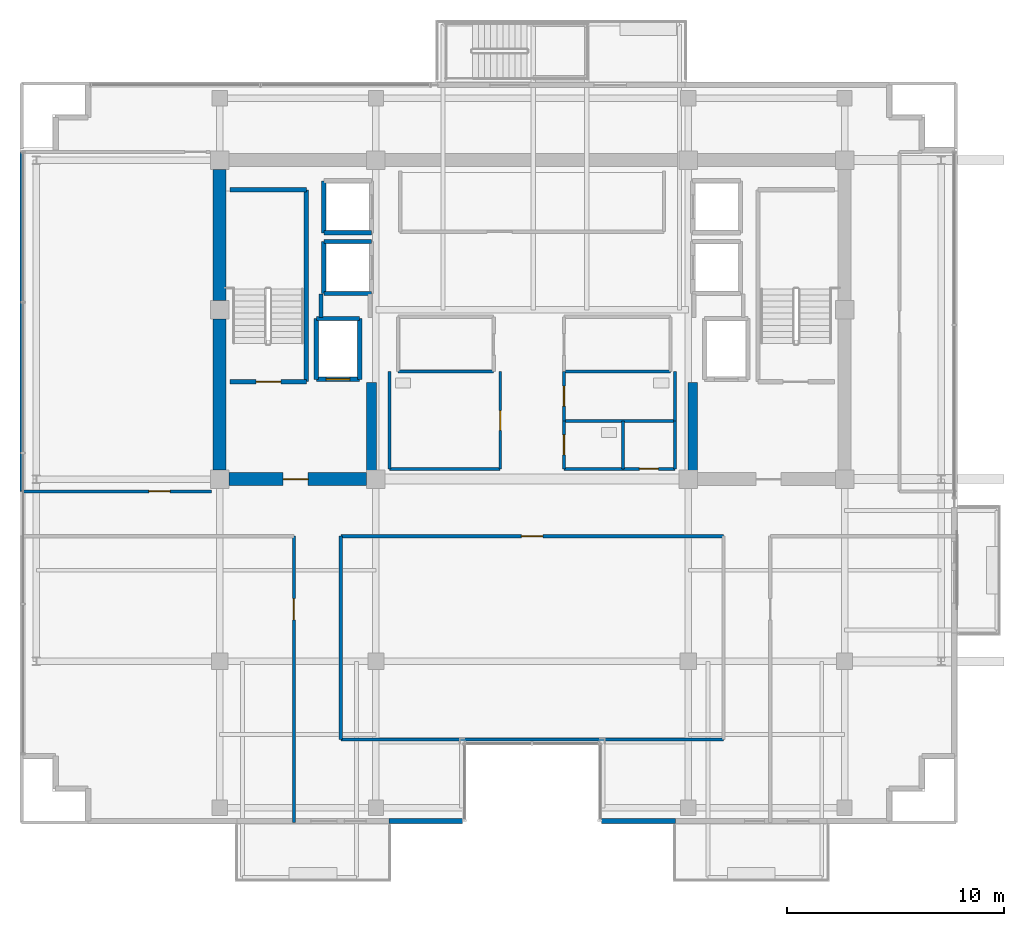
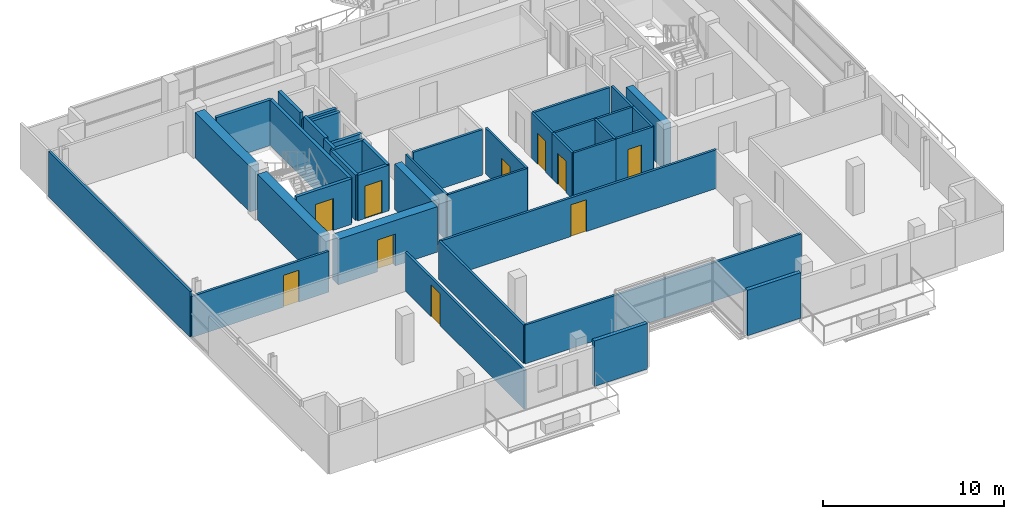
# One storey, part 17 of 24: 39 walls, 10 doors, 10 openings.
"""IFC4 building model written with IfcOpenShell, lengths in metres."""

from ifc_helpers import new_model, si_unit, direction, frame, frame_2d, origin, place, context, subcontext, project, spatial, rectangle, extrude, source, transform, mapped, material, layer, layer_set, type_object, element, fill, save


model = new_model("IFC4")

# Units and contexts
model_context = context("Model", 3, precision=1e-05, world=origin(), true_north=direction((0.0, 1.0)))
body_context = subcontext(model_context, "Body", "Model", "MODEL_VIEW")
ifc_project = project(units=[si_unit("LENGTHUNIT", "METRE"), si_unit("AREAUNIT", "SQUARE_METRE"), si_unit("VOLUMEUNIT", "CUBIC_METRE"), si_unit("PLANEANGLEUNIT", "RADIAN"), si_unit("MASSUNIT", "GRAM", prefix="KILO")], contexts=[model_context])

# Site, building, storey
site_placement = place(None, origin())
site = spatial("IfcSite", under=ifc_project, at=site_placement, CompositionType="ELEMENT")
building_placement = place(site_placement, origin())
building = spatial("IfcBuilding", under=site, at=building_placement, Name="Zarnakvel Exchange Tower", CompositionType="ELEMENT")
storey_placement = place(building_placement, frame((0.0, 0.0, 205.60009765625)))
storey = spatial("IfcBuildingStorey", under=building, at=storey_placement, Name="L57", CompositionType="ELEMENT", Elevation=205.60009765625)

# Walls
ifc_material_1 = material(Name="Concrete C50/60", Category="concrete")
ifc_layer_1 = layer(ifc_material_1, 0.60009765625)
ifc_layer_set_1 = layer_set([ifc_layer_1], Name="Concrete C50/60")
wall_type_1 = type_object("IfcWallType", Name="CW-C5", PredefinedType="SHEAR", material=ifc_layer_set_1)
wall_1_placement = place(storey_placement, frame((-14.39990234375, -0.77490234375, 0.0), z_axis=(0.0, 0.0, 1.0), x_axis=(0.0, 1.0, 0.0)))
element("IfcWall", 1, at=wall_1_placement, inside=storey, type_object=wall_type_1, Name="L57 Rear Core Shear Wall W1 (CW-C5)", PredefinedType="SHEAR", context=body_context, shape_type="SweptSolid", body=[
    extrude(rectangle(XDim=6.949951171875, YDim=0.60009765625, at=frame_2d((3.47509765625, 0.0))), origin(), (0.0, 0.0, 1.0), 3.074951171875),
])
wall_2_placement = place(storey_placement, frame((-14.39990234375, 7.02490234375, 0.0), z_axis=(0.0, 0.0, 1.0), x_axis=(0.0, 1.0, 0.0)))
element("IfcWall", 2, at=wall_2_placement, inside=storey, type_object=wall_type_1, Name="L57 Rear Core Shear Wall W2 (CW-C5)", PredefinedType="SHEAR", context=body_context, shape_type="SweptSolid", body=[
    extrude(rectangle(XDim=6.050048828125, YDim=0.60009765625, at=frame_2d((3.02490234375, 0.0))), origin(), (0.0, 0.0, 1.0), 3.074951171875),
])

# Wall, opening, door
wall_3_placement = place(storey_placement, frame((-7.625, -1.199951171875, 0.0), z_axis=(0.0, 0.0, 1.0), x_axis=(-1.0, 0.0, 0.0)))
wall_3 = element("IfcWall", 3, at=wall_3_placement, inside=storey, type_object=wall_type_1, Name="L57 Rear Core Shear Wall SW (CW-C5)", PredefinedType="SHEAR", context=body_context, shape_type="SweptSolid", body=[
    extrude(rectangle(XDim=6.35009765625, YDim=0.60009765625, at=frame_2d((3.175048828125, 0.0))), origin(), (0.0, 0.0, 1.0), 3.074951171875),
])
opening_1_placement = place(wall_3_placement, frame((2.699951171875, 0.0, 0.0)))
opening_1 = element("IfcOpeningElement", 4, at=opening_1_placement, cuts=wall_3, Name="Opening D-L57-03", PredefinedType="OPENING", context=body_context, shape_type="SweptSolid", body=[
    extrude(rectangle(XDim=1.14990234375, YDim=2.14990234375, at=frame_2d((0.574951171875, 1.074951171875))), frame((0.0, 0.31005859375, 0.0), z_axis=(0.0, -1.0, 0.0), x_axis=(1.0, 0.0, 0.0)), (0.0, 0.0, 1.0), 0.6201171875),
])
ifc_material_2 = material(Name="Painted Galvanised Steel S355", Category="steel")
door_type_1 = type_object("IfcDoorType", Name="DT-04", OperationType="NOTDEFINED", PredefinedType="DOOR", material=ifc_material_2)
shared_shape_1 = source(origin(), body_context, "Body", "SweptSolid", [
    extrude(rectangle(XDim=1.14990234375, YDim=2.14990234375, at=frame_2d((0.574951171875, 1.074951171875))), frame((0.0, 0.02490234375, 0.0), z_axis=(0.0, -1.0, 0.0), x_axis=(1.0, 0.0, 0.0)), (0.0, 0.0, 1.0), 0.050048828125),
])
door_1_placement = place(opening_1_placement, origin())
door_1 = element("IfcDoor", 5, at=door_1_placement, inside=storey, type_object=door_type_1, Name="L57 Firefighting Lobby West Door D-L57-03", OperationType="SINGLE_SWING_LEFT", OverallHeight=2.14990234375, OverallWidth=1.14990234375, PredefinedType="DOOR", context=body_context, shape_type="MappedRepresentation", body=[
    mapped(shared_shape_1, transform((0.0, 0.0, 0.0), x_axis=(1.0, 0.0, 0.0), y_axis=(0.0, 1.0, 0.0), z_axis=(0.0, 0.0, 1.0), scale=1.0)),
])
fill(opening_1, door_1)

# Walls
ifc_layer_2 = layer(ifc_material_1, 0.449951171875)
ifc_layer_set_2 = layer_set([ifc_layer_2], Name="Concrete C50/60")
wall_type_2 = type_object("IfcWallType", Name="CW-C6", PredefinedType="SHEAR", material=ifc_layer_set_2)
for number, where, z_axis, x_axis, name in (
    (6, (-7.39990234375, -0.89990234375, 0.0), (0.0, 0.0, 1.0), (0.0, 1.0, 0.0), "L57 Rear Core Shear Wall IW (CW-C6)"),
    (7, (7.39990234375, -0.89990234375, 0.0), (0.0, 0.0, 1.0), (0.0, 1.0, 0.0), "L57 Rear Core Shear Wall IE (CW-C6)"),
):
    element("IfcWall", number, at=place(storey_placement, frame(where, z_axis=z_axis, x_axis=x_axis)), inside=storey, type_object=wall_type_2, Name=name, PredefinedType="SHEAR", context=body_context, shape_type="SweptSolid", body=[
        extrude(rectangle(XDim=4.14990234375, YDim=0.449951171875, at=frame_2d((2.074951171875, 0.0))), origin(), (0.0, 0.0, 1.0), 3.074951171875),
    ])
ifc_material_3 = material(Name="Precast concrete C40/50", Category="concrete")
ifc_layer_3 = layer(ifc_material_3, 0.239990234375)
ifc_layer_set_3 = layer_set([ifc_layer_3], Name="Precast concrete C40/50")
wall_type_3 = type_object("IfcWallType", Name="EW-02", PredefinedType="SOLIDWALL", material=ifc_layer_set_3)
for number, where, z_axis, x_axis, name in (
    (8, (3.199951171875, -16.9599609375, 0.0), (0.0, 0.0, 1.0), (1.0, 0.0, 0.0), "L57 Exterior Precast Spandrel Wall EWC-L57-18 (EW-02)"),
    (9, (-6.60009765625, -16.9599609375, 0.0), (0.0, 0.0, 1.0), (1.0, 0.0, 0.0), "L57 Exterior Precast Spandrel Wall EWC-L57-23 (EW-02)"),
):
    element("IfcWall", number, at=place(storey_placement, frame(where, z_axis=z_axis, x_axis=x_axis)), inside=storey, type_object=wall_type_3, Name=name, PredefinedType="SOLIDWALL", context=body_context, shape_type="SweptSolid", body=[
        extrude(rectangle(XDim=3.400146484375, YDim=0.239990234375, at=frame_2d((1.7001953125, 0.0))), origin(), (0.0, 0.0, 1.0), 3.074951171875),
    ])
ifc_material_4 = material(Name="Fire-Rated Gypsum Stud Partition", Category="gypsum")
ifc_layer_4 = layer(ifc_material_4, 0.14990234375)
ifc_layer_set_4 = layer_set([ifc_layer_4], Name="Fire-Rated Gypsum Stud Partition")
wall_type_4 = type_object("IfcWallType", Name="PT-01", PredefinedType="PARTITIONING", material=ifc_layer_set_4)
wall_4_placement = place(storey_placement, frame((-1.77001953125, 3.760009765625, 0.0), z_axis=(0.0, 0.0, 1.0), x_axis=(-1.0, 0.0, 0.0)))
element("IfcWall", 10, at=wall_4_placement, inside=storey, type_object=wall_type_4, Name="L57 Partition Wall PWALL-L57-014 (PT-01)", PredefinedType="PARTITIONING", context=body_context, shape_type="SweptSolid", body=[
    extrude(rectangle(XDim=4.409912109375, YDim=0.14990234375, at=frame_2d((2.205078125, 0.0))), origin(), (0.0, 0.0, 1.0), 3.074951171875),
])
wall_5_placement = place(storey_placement, frame((6.3798828125, 3.760009765625, 0.0), z_axis=(0.0, 0.0, 1.0), x_axis=(-1.0, 0.0, 0.0)))
element("IfcWall", 11, at=wall_5_placement, inside=storey, type_object=wall_type_4, Name="L57 Partition Wall PWALL-L57-018 (PT-01)", PredefinedType="PARTITIONING", context=body_context, shape_type="SweptSolid", body=[
    extrude(rectangle(XDim=4.909912109375, YDim=0.14990234375, at=frame_2d((2.455078125, 0.0))), origin(), (0.0, 0.0, 1.0), 3.074951171875),
])

# Wall, opening, door
wall_6_placement = place(storey_placement, frame((6.580078125, -0.72998046875, 0.0), z_axis=(0.0, 0.0, 1.0), x_axis=(-1.0, 0.0, 0.0)))
wall_6 = element("IfcWall", 12, at=wall_6_placement, inside=storey, type_object=wall_type_4, Name="L57 Partition Wall PWALL-L57-031 (PT-01)", PredefinedType="PARTITIONING", context=body_context, shape_type="SweptSolid", body=[
    extrude(rectangle(XDim=2.400146484375, YDim=0.14990234375, at=frame_2d((1.2001953125, 0.0))), origin(), (0.0, 0.0, 1.0), 3.074951171875),
])
opening_2_placement = place(wall_6_placement, frame((0.760009765625, 0.0, 0.0)))
opening_2 = element("IfcOpeningElement", 13, at=opening_2_placement, cuts=wall_6, Name="Opening D-L57-11", PredefinedType="OPENING", context=body_context, shape_type="SweptSolid", body=[
    extrude(rectangle(XDim=0.8798828125, YDim=2.10009765625, at=frame_2d((0.43994140625, 1.050048828125))), frame((0.0, 0.0849609375, 0.0), z_axis=(0.0, -1.0, 0.0), x_axis=(1.0, 0.0, 0.0)), (0.0, 0.0, 1.0), 0.169921875),
])
door_type_2 = type_object("IfcDoorType", Name="DT-08", OperationType="NOTDEFINED", PredefinedType="DOOR", material=ifc_material_2)
shared_shape_2 = source(origin(), body_context, "Body", "SweptSolid", [
    extrude(rectangle(XDim=0.8798828125, YDim=2.10009765625, at=frame_2d((0.43994140625, 1.050048828125))), frame((0.0, 0.02490234375, 0.0), z_axis=(0.0, -1.0, 0.0), x_axis=(1.0, 0.0, 0.0)), (0.0, 0.0, 1.0), 0.050048828125),
])
door_2_placement = place(opening_2_placement, origin())
door_2 = element("IfcDoor", 14, at=door_2_placement, inside=storey, type_object=door_type_2, Name="L57 Cleaners Store Door D-L57-11", OperationType="SINGLE_SWING_LEFT", OverallHeight=2.10009765625, OverallWidth=0.8798828125, PredefinedType="DOOR", context=body_context, shape_type="MappedRepresentation", body=[
    mapped(shared_shape_2, transform((0.0, 0.0, 0.0), x_axis=(1.0, 0.0, 0.0), y_axis=(0.0, 1.0, 0.0), z_axis=(0.0, 0.0, 1.0), scale=1.0)),
])
fill(opening_2, door_2)

# Wall
wall_7_placement = place(storey_placement, frame((6.580078125, 1.47998046875, 0.0), z_axis=(0.0, 0.0, 1.0), x_axis=(0.0, -1.0, 0.0)))
element("IfcWall", 15, at=wall_7_placement, inside=storey, type_object=wall_type_4, Name="L57 Partition Wall PWALL-L57-032 (PT-01)", PredefinedType="PARTITIONING", context=body_context, shape_type="SweptSolid", body=[
    extrude(rectangle(XDim=2.2099609375, YDim=0.14990234375, at=frame_2d((1.10498046875, 0.0))), origin(), (0.0, 0.0, 1.0), 3.074951171875),
])

# Wall, opening, door
wall_8_placement = place(storey_placement, frame((-10.97998046875, -3.830078125, 0.0), z_axis=(0.0, 0.0, 1.0), x_axis=(0.0, -1.0, 0.0)))
wall_8 = element("IfcWall", 16, at=wall_8_placement, inside=storey, type_object=wall_type_4, Name="L57 Partition Wall PWALL-L57-036 (PT-01)", PredefinedType="PARTITIONING", context=body_context, shape_type="SweptSolid", body=[
    extrude(rectangle(XDim=13.199951171875, YDim=0.14990234375, at=frame_2d((6.60009765625, 0.0))), origin(), (0.0, 0.0, 1.0), 2.614990234375),
])
opening_3_placement = place(wall_8_placement, frame((2.8798828125, 0.0, 0.0)))
opening_3 = element("IfcOpeningElement", 17, at=opening_3_placement, cuts=wall_8, Name="Opening D-L57-12", PredefinedType="OPENING", context=body_context, shape_type="SweptSolid", body=[
    extrude(rectangle(XDim=0.97998046875, YDim=2.14990234375, at=frame_2d((0.489990234375, 1.074951171875))), frame((0.0, 0.0849609375, 0.0), z_axis=(0.0, -1.0, 0.0), x_axis=(1.0, 0.0, 0.0)), (0.0, 0.0, 1.0), 0.169921875),
])
ifc_material_5 = material(Name="Timber Acoustic Veneer", Category="wood")
door_type_3 = type_object("IfcDoorType", Name="DT-05", OperationType="NOTDEFINED", PredefinedType="DOOR", material=ifc_material_5)
shared_shape_3 = source(origin(), body_context, "Body", "SweptSolid", [
    extrude(rectangle(XDim=0.97998046875, YDim=2.14990234375, at=frame_2d((0.489990234375, 1.074951171875))), frame((0.0, 0.02490234375, 0.0), z_axis=(0.0, -1.0, 0.0), x_axis=(1.0, 0.0, 0.0)), (0.0, 0.0, 1.0), 0.050048828125),
])
door_3_placement = place(opening_3_placement, origin())
door_3 = element("IfcDoor", 18, at=door_3_placement, inside=storey, type_object=door_type_3, Name="L57 Sky Lobby Concourse Door D-L57-12", OperationType="SINGLE_SWING_RIGHT", OverallHeight=2.14990234375, OverallWidth=0.97998046875, PredefinedType="DOOR", context=body_context, shape_type="MappedRepresentation", body=[
    mapped(shared_shape_3, transform((0.0, 0.0, 0.0), x_axis=(1.0, 0.0, 0.0), y_axis=(0.0, 1.0, 0.0), z_axis=(0.0, 0.0, 1.0), scale=1.0)),
])
fill(opening_3, door_3)

# Wall
wall_9_placement = place(storey_placement, frame((8.820068359375, -13.199951171875, 0.0), z_axis=(0.0, 0.0, 1.0), x_axis=(-1.0, 0.0, 0.0)))
element("IfcWall", 19, at=wall_9_placement, inside=storey, type_object=wall_type_4, Name="L57 Partition Wall PWALL-L57-041 (PT-01)", PredefinedType="PARTITIONING", context=body_context, shape_type="SweptSolid", body=[
    extrude(rectangle(XDim=17.64013671875, YDim=0.14990234375, at=frame_2d((8.820068359375, 0.0))), origin(), (0.0, 0.0, 1.0), 2.614990234375),
])

# Wall, opening, door
wall_10_placement = place(storey_placement, frame((-8.820068359375, -3.830078125, 0.0), z_axis=(0.0, 0.0, 1.0), x_axis=(1.0, 0.0, 0.0)))
wall_10 = element("IfcWall", 20, at=wall_10_placement, inside=storey, type_object=wall_type_4, Name="L57 Partition Wall PWALL-L57-042 (PT-01)", PredefinedType="PARTITIONING", context=body_context, shape_type="SweptSolid", body=[
    extrude(rectangle(XDim=17.64013671875, YDim=0.14990234375, at=frame_2d((8.820068359375, 0.0))), origin(), (0.0, 0.0, 1.0), 2.614990234375),
])
opening_4_placement = place(wall_10_placement, frame((8.330078125, 0.0, 0.0)))
opening_4 = element("IfcOpeningElement", 21, at=opening_4_placement, cuts=wall_10, Name="Opening D-L57-14", PredefinedType="OPENING", context=body_context, shape_type="SweptSolid", body=[
    extrude(rectangle(XDim=0.97998046875, YDim=2.14990234375, at=frame_2d((0.489990234375, 1.074951171875))), frame((0.0, 0.0849609375, 0.0), z_axis=(0.0, -1.0, 0.0), x_axis=(1.0, 0.0, 0.0)), (0.0, 0.0, 1.0), 0.169921875),
])
door_4_placement = place(opening_4_placement, origin())
door_4 = element("IfcDoor", 22, at=door_4_placement, inside=storey, type_object=door_type_3, Name="L57 Observation Lounge Door D-L57-14", OperationType="SINGLE_SWING_RIGHT", OverallHeight=2.14990234375, OverallWidth=0.97998046875, PredefinedType="DOOR", context=body_context, shape_type="MappedRepresentation", body=[
    mapped(shared_shape_3, transform((0.0, 0.0, 0.0), x_axis=(1.0, 0.0, 0.0), y_axis=(0.0, 1.0, 0.0), z_axis=(0.0, 0.0, 1.0), scale=1.0)),
])
fill(opening_4, door_4)

# Wall
wall_11_placement = place(storey_placement, frame((-8.820068359375, -13.199951171875, 0.0), z_axis=(0.0, 0.0, 1.0), x_axis=(0.0, 1.0, 0.0)))
element("IfcWall", 23, at=wall_11_placement, inside=storey, type_object=wall_type_4, Name="L57 Partition Wall PWALL-L57-043 (PT-01)", PredefinedType="PARTITIONING", context=body_context, shape_type="SweptSolid", body=[
    extrude(rectangle(XDim=9.369873046875, YDim=0.14990234375, at=frame_2d((4.68505859375, 0.0))), origin(), (0.0, 0.0, 1.0), 2.614990234375),
])

# Wall, opening, door
wall_12_placement = place(storey_placement, frame((-14.77001953125, -1.77001953125, 0.0), z_axis=(0.0, 0.0, 1.0), x_axis=(-1.0, 0.0, 0.0)))
wall_12 = element("IfcWall", 24, at=wall_12_placement, inside=storey, type_object=wall_type_4, Name="L57 Partition Wall PWALL-L57-045 (PT-01)", PredefinedType="PARTITIONING", context=body_context, shape_type="SweptSolid", body=[
    extrude(rectangle(XDim=8.760009765625, YDim=0.14990234375, at=frame_2d((4.3798828125, 0.0))), origin(), (0.0, 0.0, 1.0), 2.764892578125),
])
opening_5_placement = place(wall_12_placement, frame((1.9150390625, 0.0, 0.0)))
opening_5 = element("IfcOpeningElement", 25, at=opening_5_placement, cuts=wall_12, Name="Opening D-L57-15", PredefinedType="OPENING", context=body_context, shape_type="SweptSolid", body=[
    extrude(rectangle(XDim=0.97998046875, YDim=2.14990234375, at=frame_2d((0.489990234375, 1.074951171875))), frame((0.0, 0.0849609375, 0.0), z_axis=(0.0, -1.0, 0.0), x_axis=(1.0, 0.0, 0.0)), (0.0, 0.0, 1.0), 0.169921875),
])
door_5_placement = place(opening_5_placement, origin())
door_5 = element("IfcDoor", 26, at=door_5_placement, inside=storey, type_object=door_type_3, Name="L57 Client Reception Suite Door D-L57-15", OperationType="SINGLE_SWING_LEFT", OverallHeight=2.14990234375, OverallWidth=0.97998046875, PredefinedType="DOOR", context=body_context, shape_type="MappedRepresentation", body=[
    mapped(shared_shape_3, transform((0.0, 0.0, 0.0), x_axis=(1.0, 0.0, 0.0), y_axis=(0.0, 1.0, 0.0), z_axis=(0.0, 0.0, 1.0), scale=1.0)),
])
fill(opening_5, door_5)

# Walls
wall_13_placement = place(storey_placement, frame((-23.530029296875, -1.77001953125, 0.0), z_axis=(0.0, 0.0, 1.0), x_axis=(0.0, 1.0, 0.0)))
element("IfcWall", 27, at=wall_13_placement, inside=storey, type_object=wall_type_4, Name="L57 Partition Wall PWALL-L57-047 (PT-01)", PredefinedType="PARTITIONING", context=body_context, shape_type="SweptSolid", body=[
    extrude(rectangle(XDim=15.64990234375, YDim=0.14990234375, at=frame_2d((7.824951171875, 0.0))), origin(), (0.0, 0.0, 1.0), 3.074951171875),
])
ifc_layer_5 = layer(ifc_material_4, 0.179931640625)
ifc_layer_set_5 = layer_set([ifc_layer_5], Name="Fire-Rated Gypsum Stud Partition")
wall_type_5 = type_object("IfcWallType", Name="PT-02", PredefinedType="PARTITIONING", material=ifc_layer_set_5)
wall_14_placement = place(storey_placement, frame((-9.72998046875, 6.239990234375, 0.0), z_axis=(0.0, 0.0, 1.0), x_axis=(0.0, 1.0, 0.0)))
element("IfcWall", 28, at=wall_14_placement, inside=storey, type_object=wall_type_5, Name="L57 Partition Wall PWALL-L57-007 (PT-02)", PredefinedType="PARTITIONING", context=body_context, shape_type="SweptSolid", body=[
    extrude(rectangle(XDim=1.090087890625, YDim=0.179931640625, at=frame_2d((0.544921875, 0.0))), origin(), (0.0, 0.0, 1.0), 3.074951171875),
])
ifc_material_6 = material(Name="Moisture-Resistant Tile-Faced Partition", Category="gypsum")
ifc_layer_6 = layer(ifc_material_6, 0.135009765625)
ifc_layer_set_6 = layer_set([ifc_layer_6], Name="Moisture-Resistant Tile-Faced Partition")
wall_type_6 = type_object("IfcWallType", Name="PT-03", PredefinedType="PARTITIONING", material=ifc_layer_set_6)
wall_15_placement = place(storey_placement, frame((-1.469970703125, -0.72998046875, 0.0), z_axis=(0.0, 0.0, 1.0), x_axis=(-1.0, 0.0, 0.0)))
element("IfcWall", 29, at=wall_15_placement, inside=storey, type_object=wall_type_6, Name="L57 Partition Wall PWALL-L57-022 (PT-03)", PredefinedType="PARTITIONING", context=body_context, shape_type="SweptSolid", body=[
    extrude(rectangle(XDim=5.110107421875, YDim=0.135009765625, at=frame_2d((2.55517578125, 0.0))), origin(), (0.0, 0.0, 1.0), 3.074951171875),
])
wall_16_placement = place(storey_placement, frame((-6.580078125, -0.72998046875, 0.0), z_axis=(0.0, 0.0, 1.0), x_axis=(0.0, 1.0, 0.0)))
element("IfcWall", 30, at=wall_16_placement, inside=storey, type_object=wall_type_6, Name="L57 Partition Wall PWALL-L57-023 (PT-03)", PredefinedType="PARTITIONING", context=body_context, shape_type="SweptSolid", body=[
    extrude(rectangle(XDim=4.489990234375, YDim=0.135009765625, at=frame_2d((2.2451171875, 0.0))), origin(), (0.0, 0.0, 1.0), 3.074951171875),
])

# Wall, opening, door
wall_17_placement = place(storey_placement, frame((-1.469970703125, 3.760009765625, 0.0), z_axis=(0.0, 0.0, 1.0), x_axis=(0.0, -1.0, 0.0)))
wall_17 = element("IfcWall", 31, at=wall_17_placement, inside=storey, type_object=wall_type_6, Name="L57 Partition Wall PWALL-L57-024 (PT-03)", PredefinedType="PARTITIONING", context=body_context, shape_type="SweptSolid", body=[
    extrude(rectangle(XDim=4.489990234375, YDim=0.135009765625, at=frame_2d((2.2451171875, 0.0))), origin(), (0.0, 0.0, 1.0), 3.074951171875),
])
opening_6_placement = place(wall_17_placement, frame((1.800048828125, 0.0, 0.0)))
opening_6 = element("IfcOpeningElement", 32, at=opening_6_placement, cuts=wall_17, Name="Opening D-L57-08", PredefinedType="OPENING", context=body_context, shape_type="SweptSolid", body=[
    extrude(rectangle(XDim=0.919921875, YDim=2.10009765625, at=frame_2d((0.4599609375, 1.050048828125))), frame((0.0, 0.077392578125, 0.0), z_axis=(0.0, -1.0, 0.0), x_axis=(1.0, 0.0, 0.0)), (0.0, 0.0, 1.0), 0.155029296875),
])
ifc_material_7 = material(Name="Moisture-Resistant Laminate Timber", Category="wood")
door_type_4 = type_object("IfcDoorType", Name="DT-07", OperationType="NOTDEFINED", PredefinedType="DOOR", material=ifc_material_7)
shared_shape_4 = source(origin(), body_context, "Body", "SweptSolid", [
    extrude(rectangle(XDim=0.919921875, YDim=2.10009765625, at=frame_2d((0.4599609375, 1.050048828125))), frame((0.0, 0.02490234375, 0.0), z_axis=(0.0, -1.0, 0.0), x_axis=(1.0, 0.0, 0.0)), (0.0, 0.0, 1.0), 0.050048828125),
])
door_6_placement = place(opening_6_placement, origin())
door_6 = element("IfcDoor", 33, at=door_6_placement, inside=storey, type_object=door_type_4, Name="L57 Male Toilet Door D-L57-08", OperationType="SINGLE_SWING_RIGHT", OverallHeight=2.10009765625, OverallWidth=0.919921875, PredefinedType="DOOR", context=body_context, shape_type="MappedRepresentation", body=[
    mapped(shared_shape_4, transform((0.0, 0.0, 0.0), x_axis=(1.0, 0.0, 0.0), y_axis=(0.0, 1.0, 0.0), z_axis=(0.0, 0.0, 1.0), scale=1.0)),
])
fill(opening_6, door_6)

# Wall
wall_18_placement = place(storey_placement, frame((6.580078125, 1.47998046875, 0.0), z_axis=(0.0, 0.0, 1.0), x_axis=(-1.0, 0.0, 0.0)))
element("IfcWall", 34, at=wall_18_placement, inside=storey, type_object=wall_type_6, Name="L57 Partition Wall PWALL-L57-025 (PT-03)", PredefinedType="PARTITIONING", context=body_context, shape_type="SweptSolid", body=[
    extrude(rectangle(XDim=5.110107421875, YDim=0.135009765625, at=frame_2d((2.55517578125, 0.0))), origin(), (0.0, 0.0, 1.0), 3.074951171875),
])

# Wall, opening, door
wall_19_placement = place(storey_placement, frame((1.469970703125, 1.47998046875, 0.0), z_axis=(0.0, 0.0, 1.0), x_axis=(0.0, 1.0, 0.0)))
wall_19 = element("IfcWall", 35, at=wall_19_placement, inside=storey, type_object=wall_type_6, Name="L57 Partition Wall PWALL-L57-026 (PT-03)", PredefinedType="PARTITIONING", context=body_context, shape_type="SweptSolid", body=[
    extrude(rectangle(XDim=2.280029296875, YDim=0.135009765625, at=frame_2d((1.14013671875, 0.0))), origin(), (0.0, 0.0, 1.0), 3.074951171875),
])
opening_7_placement = place(wall_19_placement, frame((0.679931640625, 0.0, 0.0)))
opening_7 = element("IfcOpeningElement", 36, at=opening_7_placement, cuts=wall_19, Name="Opening D-L57-09", PredefinedType="OPENING", context=body_context, shape_type="SweptSolid", body=[
    extrude(rectangle(XDim=0.919921875, YDim=2.10009765625, at=frame_2d((0.4599609375, 1.050048828125))), frame((0.0, 0.077392578125, 0.0), z_axis=(0.0, -1.0, 0.0), x_axis=(1.0, 0.0, 0.0)), (0.0, 0.0, 1.0), 0.155029296875),
])
door_7_placement = place(opening_7_placement, origin())
door_7 = element("IfcDoor", 37, at=door_7_placement, inside=storey, type_object=door_type_4, Name="L57 Female Toilet Door D-L57-09", OperationType="SINGLE_SWING_LEFT", OverallHeight=2.10009765625, OverallWidth=0.919921875, PredefinedType="DOOR", context=body_context, shape_type="MappedRepresentation", body=[
    mapped(shared_shape_4, transform((0.0, 0.0, 0.0), x_axis=(1.0, 0.0, 0.0), y_axis=(0.0, 1.0, 0.0), z_axis=(0.0, 0.0, 1.0), scale=1.0)),
])
fill(opening_7, door_7)

# Walls
wall_20_placement = place(storey_placement, frame((6.580078125, 3.760009765625, 0.0), z_axis=(0.0, 0.0, 1.0), x_axis=(0.0, -1.0, 0.0)))
element("IfcWall", 38, at=wall_20_placement, inside=storey, type_object=wall_type_6, Name="L57 Partition Wall PWALL-L57-027 (PT-03)", PredefinedType="PARTITIONING", context=body_context, shape_type="SweptSolid", body=[
    extrude(rectangle(XDim=2.280029296875, YDim=0.135009765625, at=frame_2d((1.14013671875, 0.0))), origin(), (0.0, 0.0, 1.0), 3.074951171875),
])
wall_21_placement = place(storey_placement, frame((4.179931640625, -0.72998046875, 0.0), z_axis=(0.0, 0.0, 1.0), x_axis=(-1.0, 0.0, 0.0)))
element("IfcWall", 39, at=wall_21_placement, inside=storey, type_object=wall_type_6, Name="L57 Partition Wall PWALL-L57-028 (PT-03)", PredefinedType="PARTITIONING", context=body_context, shape_type="SweptSolid", body=[
    extrude(rectangle(XDim=2.7099609375, YDim=0.135009765625, at=frame_2d((1.35498046875, 0.0))), origin(), (0.0, 0.0, 1.0), 3.074951171875),
])

# Wall, opening, door
wall_22_placement = place(storey_placement, frame((1.469970703125, -0.72998046875, 0.0), z_axis=(0.0, 0.0, 1.0), x_axis=(0.0, 1.0, 0.0)))
wall_22 = element("IfcWall", 40, at=wall_22_placement, inside=storey, type_object=wall_type_6, Name="L57 Partition Wall PWALL-L57-029 (PT-03)", PredefinedType="PARTITIONING", context=body_context, shape_type="SweptSolid", body=[
    extrude(rectangle(XDim=2.2099609375, YDim=0.135009765625, at=frame_2d((1.10498046875, 0.0))), origin(), (0.0, 0.0, 1.0), 3.074951171875),
])
opening_8_placement = place(wall_22_placement, frame((0.64990234375, 0.0, 0.0)))
opening_8 = element("IfcOpeningElement", 41, at=opening_8_placement, cuts=wall_22, Name="Opening D-L57-10", PredefinedType="OPENING", context=body_context, shape_type="SweptSolid", body=[
    extrude(rectangle(XDim=0.919921875, YDim=2.10009765625, at=frame_2d((0.4599609375, 1.050048828125))), frame((0.0, 0.077392578125, 0.0), z_axis=(0.0, -1.0, 0.0), x_axis=(1.0, 0.0, 0.0)), (0.0, 0.0, 1.0), 0.155029296875),
])
door_8_placement = place(opening_8_placement, origin())
door_8 = element("IfcDoor", 42, at=door_8_placement, inside=storey, type_object=door_type_4, Name="L57 Accessible Toilet Door D-L57-10", OperationType="SINGLE_SWING_RIGHT", OverallHeight=2.10009765625, OverallWidth=0.919921875, PredefinedType="DOOR", context=body_context, shape_type="MappedRepresentation", body=[
    mapped(shared_shape_4, transform((0.0, 0.0, 0.0), x_axis=(1.0, 0.0, 0.0), y_axis=(0.0, 1.0, 0.0), z_axis=(0.0, 0.0, 1.0), scale=1.0)),
])
fill(opening_8, door_8)

# Wall
wall_23_placement = place(storey_placement, frame((4.179931640625, 1.47998046875, 0.0), z_axis=(0.0, 0.0, 1.0), x_axis=(0.0, -1.0, 0.0)))
element("IfcWall", 43, at=wall_23_placement, inside=storey, type_object=wall_type_6, Name="L57 Partition Wall PWALL-L57-030 (PT-03)", PredefinedType="PARTITIONING", context=body_context, shape_type="SweptSolid", body=[
    extrude(rectangle(XDim=2.2099609375, YDim=0.135009765625, at=frame_2d((1.10498046875, 0.0))), origin(), (0.0, 0.0, 1.0), 3.074951171875),
])

# Wall, opening, door
ifc_material_8 = material(Name="Concrete C40/50", Category="concrete")
ifc_layer_7 = layer(ifc_material_8, 0.199951171875)
ifc_layer_set_7 = layer_set([ifc_layer_7], Name="Concrete C40/50")
wall_type_7 = type_object("IfcWallType", Name="SW-01", PredefinedType="SOLIDWALL", material=ifc_layer_set_7)
wall_24_placement = place(storey_placement, frame((-7.949951171875, 3.39990234375, 0.0), z_axis=(0.0, 0.0, 1.0), x_axis=(-1.0, 0.0, 0.0)))
wall_24 = element("IfcWall", 44, at=wall_24_placement, inside=storey, type_object=wall_type_7, Name="L57 FL-01 Hoistway Wall South", PredefinedType="SOLIDWALL", context=body_context, shape_type="SweptSolid", body=[
    extrude(rectangle(XDim=2.0, YDim=0.199951171875, at=frame_2d((1.0, 0.0))), origin(), (0.0, 0.0, 1.0), 3.074951171875),
])
opening_9_placement = place(wall_24_placement, frame((0.449951171875, 0.0, 0.0)))
opening_9 = element("IfcOpeningElement", 45, at=opening_9_placement, cuts=wall_24, Name="Opening LD-FL-01-L57", PredefinedType="OPENING", context=body_context, shape_type="SweptSolid", body=[
    extrude(rectangle(XDim=1.10009765625, YDim=2.199951171875, at=frame_2d((0.550048828125, 1.10009765625))), frame((0.0, 0.10986328125, 0.0), z_axis=(0.0, -1.0, 0.0), x_axis=(1.0, 0.0, 0.0)), (0.0, 0.0, 1.0), 0.219970703125),
])
ifc_material_9 = material(Name="Brushed Stainless Steel", Category="steel")
door_type_5 = type_object("IfcDoorType", Name="LDT-01", OperationType="NOTDEFINED", PredefinedType="DOOR", material=ifc_material_9)
shared_shape_5 = source(origin(), body_context, "Body", "SweptSolid", [
    extrude(rectangle(XDim=1.10009765625, YDim=2.199951171875, at=frame_2d((0.550048828125, 1.10009765625))), frame((0.0, 0.02490234375, 0.0), z_axis=(0.0, -1.0, 0.0), x_axis=(1.0, 0.0, 0.0)), (0.0, 0.0, 1.0), 0.050048828125),
])
door_9_placement = place(opening_9_placement, origin())
door_9 = element("IfcDoor", 46, at=door_9_placement, inside=storey, type_object=door_type_5, Name="L57 FL-01 Lift Landing Door LD-FL-01-L57", OperationType="DOUBLE_DOOR_SLIDING", OverallHeight=2.199951171875, OverallWidth=1.10009765625, PredefinedType="DOOR", context=body_context, shape_type="MappedRepresentation", body=[
    mapped(shared_shape_5, transform((0.0, 0.0, 0.0), x_axis=(1.0, 0.0, 0.0), y_axis=(0.0, 1.0, 0.0), z_axis=(0.0, 0.0, 1.0), scale=1.0)),
])
fill(opening_9, door_9)

# Walls
wall_25_placement = place(storey_placement, frame((-9.949951171875, 6.199951171875, 0.0), z_axis=(0.0, 0.0, 1.0), x_axis=(1.0, 0.0, 0.0)))
element("IfcWall", 47, at=wall_25_placement, inside=storey, type_object=wall_type_7, Name="L57 FL-01 Hoistway Wall North", PredefinedType="SOLIDWALL", context=body_context, shape_type="SweptSolid", body=[
    extrude(rectangle(XDim=2.0, YDim=0.199951171875, at=frame_2d((1.0, 0.0))), origin(), (0.0, 0.0, 1.0), 3.074951171875),
])
for number, where, z_axis, x_axis, name in (
    (48, (-9.949951171875, 3.39990234375, 0.0), (0.0, 0.0, 1.0), (0.0, 1.0, 0.0), "L57 FL-01 Hoistway Wall West"),
    (49, (-7.949951171875, 6.199951171875, 0.0), (0.0, 0.0, 1.0), (0.0, -1.0, 0.0), "L57 FL-01 Hoistway Wall East"),
):
    element("IfcWall", number, at=place(storey_placement, frame(where, z_axis=z_axis, x_axis=x_axis)), inside=storey, type_object=wall_type_7, Name=name, PredefinedType="SOLIDWALL", context=body_context, shape_type="SweptSolid", body=[
        extrude(rectangle(XDim=2.800048828125, YDim=0.199951171875, at=frame_2d((1.39990234375, 0.0))), origin(), (0.0, 0.0, 1.0), 3.074951171875),
    ])
for number, where, z_axis, x_axis, name in (
    (50, (-7.39990234375, 7.35009765625, 0.0), (0.0, 0.0, 1.0), (-1.0, 0.0, 0.0), "L57 PL-09 Hoistway Wall South"),
    (51, (-9.60009765625, 9.75, 0.0), (0.0, 0.0, 1.0), (1.0, 0.0, 0.0), "L57 PL-09 Hoistway Wall North"),
):
    element("IfcWall", number, at=place(storey_placement, frame(where, z_axis=z_axis, x_axis=x_axis)), inside=storey, type_object=wall_type_7, Name=name, PredefinedType="SOLIDWALL", context=body_context, shape_type="SweptSolid", body=[
        extrude(rectangle(XDim=2.2001953125, YDim=0.199951171875, at=frame_2d((1.10009765625, 0.0))), origin(), (0.0, 0.0, 1.0), 2.614990234375),
    ])
wall_26_placement = place(storey_placement, frame((-9.60009765625, 7.35009765625, 0.0), z_axis=(0.0, 0.0, 1.0), x_axis=(0.0, 1.0, 0.0)))
element("IfcWall", 52, at=wall_26_placement, inside=storey, type_object=wall_type_7, Name="L57 PL-09 Hoistway Wall West", PredefinedType="SOLIDWALL", context=body_context, shape_type="SweptSolid", body=[
    extrude(rectangle(XDim=2.39990234375, YDim=0.199951171875, at=frame_2d((1.199951171875, 0.0))), origin(), (0.0, 0.0, 1.0), 3.074951171875),
])
wall_27_placement = place(storey_placement, frame((-7.39990234375, 10.14990234375, 0.0), z_axis=(0.0, 0.0, 1.0), x_axis=(-1.0, 0.0, 0.0)))
element("IfcWall", 53, at=wall_27_placement, inside=storey, type_object=wall_type_7, Name="L57 PL-10 Hoistway Wall South", PredefinedType="SOLIDWALL", context=body_context, shape_type="SweptSolid", body=[
    extrude(rectangle(XDim=2.2001953125, YDim=0.199951171875, at=frame_2d((1.10009765625, 0.0))), origin(), (0.0, 0.0, 1.0), 2.614990234375),
])
wall_28_placement = place(storey_placement, frame((-9.60009765625, 10.14990234375, 0.0), z_axis=(0.0, 0.0, 1.0), x_axis=(0.0, 1.0, 0.0)))
element("IfcWall", 54, at=wall_28_placement, inside=storey, type_object=wall_type_7, Name="L57 PL-10 Hoistway Wall West", PredefinedType="SOLIDWALL", context=body_context, shape_type="SweptSolid", body=[
    extrude(rectangle(XDim=2.400146484375, YDim=0.199951171875, at=frame_2d((1.2001953125, 0.0))), origin(), (0.0, 0.0, 1.0), 3.074951171875),
])

# Wall, opening, door
ifc_layer_8 = layer(ifc_material_8, 0.199951171875)
ifc_layer_set_8 = layer_set([ifc_layer_8], Name="Concrete C40/50")
wall_type_8 = type_object("IfcWallType", Name="SW-02", PredefinedType="SOLIDWALL", material=ifc_layer_set_8)
wall_29_placement = place(storey_placement, frame((-10.409912109375, 3.2900390625, 0.0), z_axis=(0.0, 0.0, 1.0), x_axis=(-1.0, 0.0, 0.0)))
wall_29 = element("IfcWall", 55, at=wall_29_placement, inside=storey, type_object=wall_type_8, Name="L57 Stairwell Core Wall PWALL-L57-001 (SW-02)", PredefinedType="SOLIDWALL", context=body_context, shape_type="SweptSolid", body=[
    extrude(rectangle(XDim=3.52001953125, YDim=0.199951171875, at=frame_2d((1.760009765625, 0.0))), origin(), (0.0, 0.0, 1.0), 3.074951171875),
])
opening_10_placement = place(wall_29_placement, frame((1.1650390625, 0.0, 0.0)))
opening_10 = element("IfcOpeningElement", 56, at=opening_10_placement, cuts=wall_29, Name="Opening D-L57-01", PredefinedType="OPENING", context=body_context, shape_type="SweptSolid", body=[
    extrude(rectangle(XDim=1.14990234375, YDim=2.14990234375, at=frame_2d((0.574951171875, 1.074951171875))), frame((0.0, 0.10986328125, 0.0), z_axis=(0.0, -1.0, 0.0), x_axis=(1.0, 0.0, 0.0)), (0.0, 0.0, 1.0), 0.219970703125),
])
door_10_placement = place(opening_10_placement, origin())
door_10 = element("IfcDoor", 57, at=door_10_placement, inside=storey, type_object=door_type_1, Name="L57 Stairwell ST-01 Door D-L57-01", OperationType="SINGLE_SWING_LEFT", OverallHeight=2.14990234375, OverallWidth=1.14990234375, PredefinedType="DOOR", context=body_context, shape_type="MappedRepresentation", body=[
    mapped(shared_shape_1, transform((0.0, 0.0, 0.0), x_axis=(1.0, 0.0, 0.0), y_axis=(0.0, 1.0, 0.0), z_axis=(0.0, 0.0, 1.0), scale=1.0)),
])
fill(opening_10, door_10)

# Walls
wall_30_placement = place(storey_placement, frame((-13.929931640625, 12.1298828125, 0.0), z_axis=(0.0, 0.0, 1.0), x_axis=(1.0, 0.0, 0.0)))
element("IfcWall", 58, at=wall_30_placement, inside=storey, type_object=wall_type_8, Name="L57 Stairwell Core Wall PWALL-L57-002 (SW-02)", PredefinedType="SOLIDWALL", context=body_context, shape_type="SweptSolid", body=[
    extrude(rectangle(XDim=3.52001953125, YDim=0.199951171875, at=frame_2d((1.760009765625, 0.0))), origin(), (0.0, 0.0, 1.0), 3.074951171875),
])
wall_31_placement = place(storey_placement, frame((-10.409912109375, 12.1298828125, 0.0), z_axis=(0.0, 0.0, 1.0), x_axis=(0.0, -1.0, 0.0)))
element("IfcWall", 59, at=wall_31_placement, inside=storey, type_object=wall_type_8, Name="L57 Stairwell Core Wall PWALL-L57-003 (SW-02)", PredefinedType="SOLIDWALL", context=body_context, shape_type="SweptSolid", body=[
    extrude(rectangle(XDim=8.83984375, YDim=0.199951171875, at=frame_2d((4.419921875, 0.0))), origin(), (0.0, 0.0, 1.0), 3.074951171875),
])

save(model, "model.ifc")
